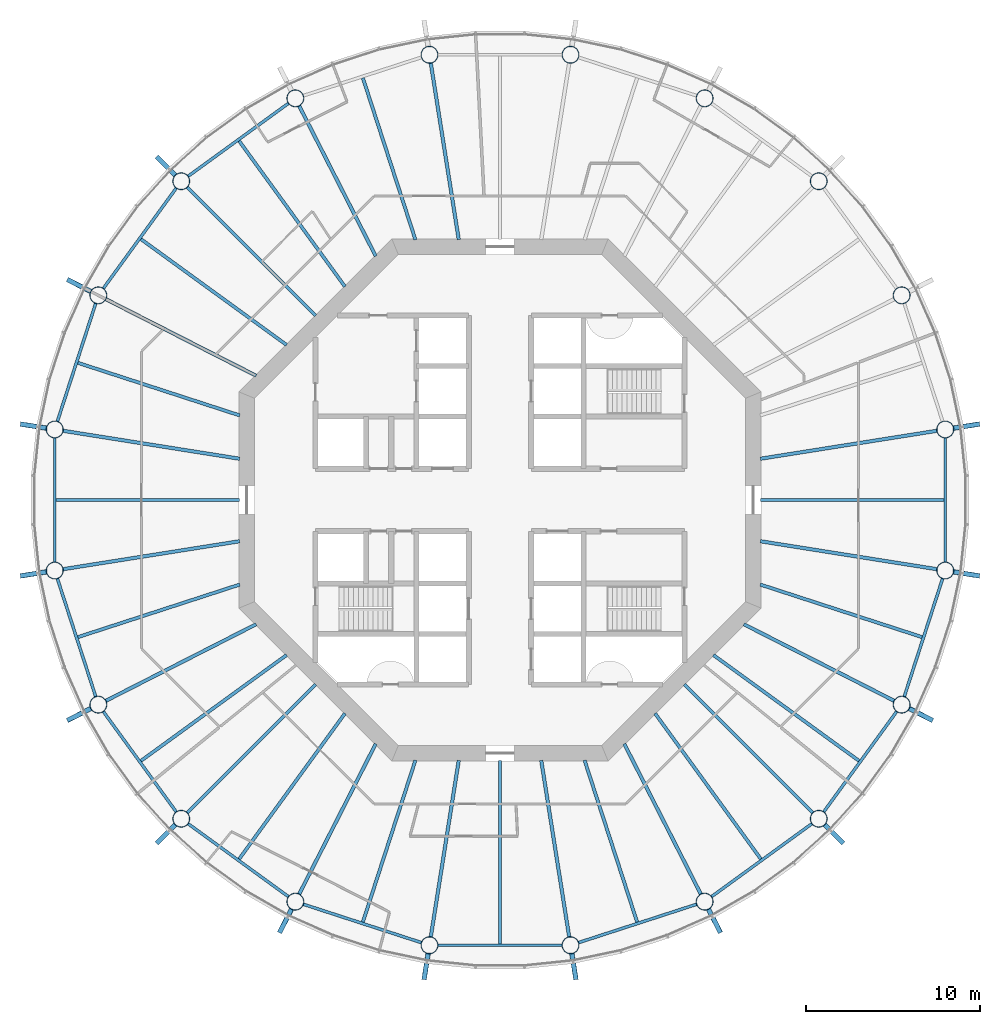
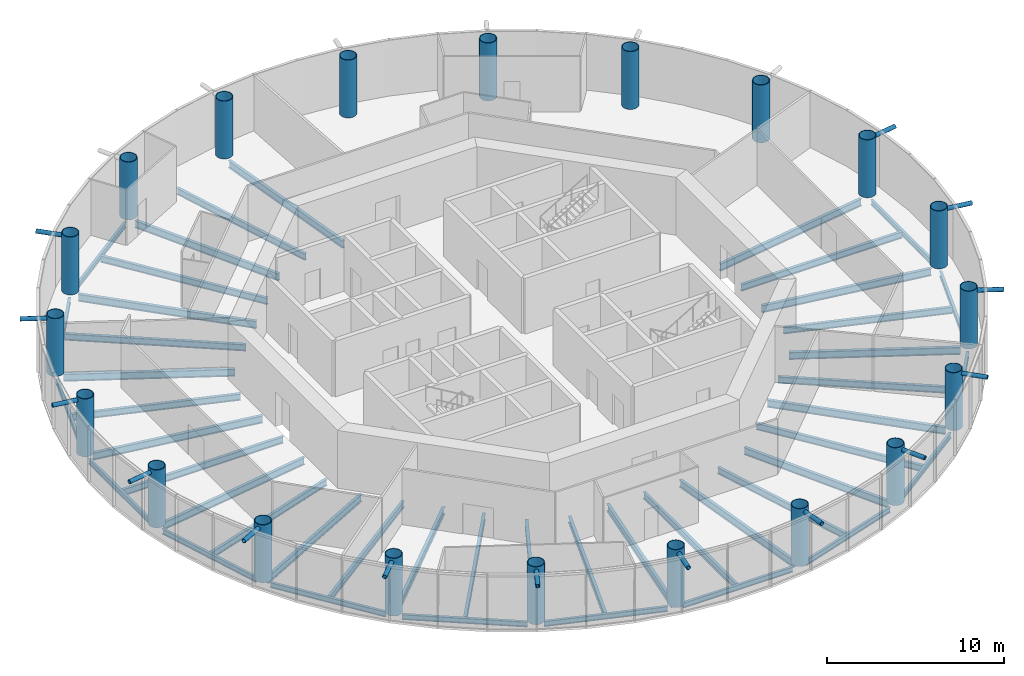
# One storey, part 1 of 12: 45 beams, 20 columns, 14 members.
"""IFC4 building model written with IfcOpenShell, lengths in metres."""

from ifc_helpers import new_model, si_unit, direction, frame, origin, origin_2d, place, context, subcontext, project, spatial, circle, hollow_circle, i_section, extrude, material, material_profile, profile_set, type_object, element, save


model = new_model("IFC4")

# Units and contexts
model_context = context("Model", 3, precision=1e-05, world=origin(), true_north=direction((0.0, 1.0)))
body_context = subcontext(model_context, "Body", "Model", "MODEL_VIEW")
ifc_project = project(units=[si_unit("LENGTHUNIT", "METRE"), si_unit("AREAUNIT", "SQUARE_METRE"), si_unit("VOLUMEUNIT", "CUBIC_METRE"), si_unit("PLANEANGLEUNIT", "RADIAN"), si_unit("MASSUNIT", "GRAM", prefix="KILO")], contexts=[model_context])

# Site, building, storey
site_placement = place(None, origin())
site = spatial("IfcSite", under=ifc_project, at=site_placement, CompositionType="ELEMENT")
building_placement = place(site_placement, origin())
building = spatial("IfcBuilding", under=site, at=building_placement, Name="Entoto Ring Tower", CompositionType="ELEMENT")
storey_placement = place(building_placement, frame((0.0, 0.0, 246.0)))
storey = spatial("IfcBuildingStorey", under=building, at=storey_placement, Name="L56", CompositionType="ELEMENT", Elevation=246.0)

# Columns
ifc_material_1 = material(Name="Steel S355", Category="steel")
ifc_material_profile_1 = material_profile(ifc_material_1, hollow_circle(Radius=0.5, WallThickness=0.0400390625, at=origin_2d()), Name="CHS 1000 x 40")
ifc_material_2 = material(Name="Concrete C60/75", Category="concrete")
ifc_material_profile_2 = material_profile(ifc_material_2, circle(Radius=0.4599609375, at=origin_2d()), Name="Concrete C60/75 infill")
ifc_profile_set_1 = profile_set([ifc_material_profile_1, ifc_material_profile_2], Name="Steel S355")
column_type = type_object("IfcColumnType", Name="Ring column 1000 x 40 concrete-filled tube", PredefinedType="COLUMN", material=ifc_profile_set_1)
for number, where, z_axis, x_axis, name in (
    (1, (115.5810546875, 84.0517578125, 0.0), (0.0, 0.0, 1.0), (1.0, 0.0, 0.0), "RC4 R01"),
    (2, (113.0771484375, 91.75830078125, 0.0), (0.0, 0.0, 1.0), (1.0, 0.0, 0.0), "RC4 R02"),
    (3, (108.31396484375, 98.31396484375, 0.0), (0.0, 0.0, 1.0), (1.0, 0.0, 0.0), "RC4 R03"),
    (4, (101.75830078125, 103.0771484375, 0.0), (0.0, 0.0, 1.0), (1.0, 0.0, 0.0), "RC4 R04"),
    (5, (94.0517578125, 105.5810546875, 0.0), (0.0, 0.0, 1.0), (1.0, 0.0, 0.0), "RC4 R05"),
    (6, (85.9482421875, 105.5810546875, 0.0), (0.0, 0.0, 1.0), (1.0, 0.0, 0.0), "RC4 R06"),
    (7, (78.24169921875, 103.0771484375, 0.0), (0.0, 0.0, 1.0), (1.0, 0.0, 0.0), "RC4 R07"),
    (8, (71.68603515625, 98.31396484375, 0.0), (0.0, 0.0, 1.0), (1.0, 0.0, 0.0), "RC4 R08"),
    (9, (66.9228515625, 91.75830078125, 0.0), (0.0, 0.0, 1.0), (1.0, 0.0, 0.0), "RC4 R09"),
    (10, (64.4189453125, 84.0517578125, 0.0), (0.0, 0.0, 1.0), (1.0, 0.0, 0.0), "RC4 R10"),
    (11, (64.4189453125, 75.9482421875, 0.0), (0.0, 0.0, 1.0), (1.0, 0.0, 0.0), "RC4 R11"),
    (12, (66.9228515625, 68.24169921875, 0.0), (0.0, 0.0, 1.0), (1.0, 0.0, 0.0), "RC4 R12"),
    (13, (71.68603515625, 61.68603515625, 0.0), (0.0, 0.0, 1.0), (1.0, 0.0, 0.0), "RC4 R13"),
    (14, (78.24169921875, 56.9228515625, 0.0), (0.0, 0.0, 1.0), (1.0, 0.0, 0.0), "RC4 R14"),
    (15, (85.9482421875, 54.4189453125, 0.0), (0.0, 0.0, 1.0), (1.0, 0.0, 0.0), "RC4 R15"),
    (16, (94.0517578125, 54.4189453125, 0.0), (0.0, 0.0, 1.0), (1.0, 0.0, 0.0), "RC4 R16"),
    (17, (101.75830078125, 56.9228515625, 0.0), (0.0, 0.0, 1.0), (1.0, 0.0, 0.0), "RC4 R17"),
    (18, (108.31396484375, 61.68603515625, 0.0), (0.0, 0.0, 1.0), (1.0, 0.0, 0.0), "RC4 R18"),
    (19, (113.0771484375, 68.24169921875, 0.0), (0.0, 0.0, 1.0), (1.0, 0.0, 0.0), "RC4 R19"),
    (20, (115.5810546875, 75.9482421875, 0.0), (0.0, 0.0, 1.0), (1.0, 0.0, 0.0), "RC4 R20"),
):
    element("IfcColumn", number, at=place(storey_placement, frame(where, z_axis=z_axis, x_axis=x_axis)), inside=storey, type_object=column_type, Name=name, PredefinedType="COLUMN", context=body_context, shape_type="SweptSolid", body=[
        extrude(hollow_circle(Radius=0.5, WallThickness=0.0400390625, at=origin_2d()), origin(), (0.0, 0.0, 1.0), 4.0),
    ])

# Members
ifc_material_3 = material(Name="Steel S355", Category="steel")
ifc_material_profile_3 = material_profile(ifc_material_3, hollow_circle(Radius=0.136474609375, WallThickness=0.012451171875, at=origin_2d()), Name="CHS 273 x 12.5")
ifc_material_4 = material(Name="Concrete C60/75", Category="concrete")
ifc_material_profile_4 = material_profile(ifc_material_4, circle(Radius=0.1240234375, at=origin_2d()), Name="Concrete C60/75 infill")
ifc_profile_set_2 = profile_set([ifc_material_profile_3, ifc_material_profile_4], Name="Steel S355")
member_type = type_object("IfcMemberType", Name="Diagrid node strut 273 x 12.5", PredefinedType="STRUT", material=ifc_profile_set_2)
member_1_placement = place(storey_placement, frame((116.036376953125, 84.123779296875, 3.71337890625), z_axis=(0.987690828979, 0.156418753192, 0.0), x_axis=(-0.156418753192, 0.987690828979, 0.0)))
element("IfcMember", 21, at=member_1_placement, inside=storey, type_object=member_type, Name="DS2 strut ring 18 01", PredefinedType="STRUT", context=body_context, shape_type="SweptSolid", body=[
    extrude(hollow_circle(Radius=0.136474609375, WallThickness=0.012451171875, at=origin_2d()), origin(), (0.0, 0.0, 1.0), 1.5390625),
])
member_2_placement = place(storey_placement, frame((71.360107421875, 98.639892578125, 3.71337890625), z_axis=(-0.707106781187, 0.707106781187, 0.0), x_axis=(-0.707106781187, -0.707106781187, 0.0)))
element("IfcMember", 22, at=member_2_placement, inside=storey, type_object=member_type, Name="DS2 strut ring 18 08", PredefinedType="STRUT", context=body_context, shape_type="SweptSolid", body=[
    extrude(hollow_circle(Radius=0.136474609375, WallThickness=0.012451171875, at=origin_2d()), origin(), (0.0, 0.0, 1.0), 1.539306640625),
])
for number, where, z_axis, x_axis, name in (
    (23, (66.51220703125, 91.967529296875, 3.71337890625), (-0.891006809714, 0.453989939363, 0.0), (-0.453989939363, -0.891006809714, 0.0), "DS2 strut ring 18 09"),
    (24, (63.963623046875, 84.123779296875, 3.71337890625), (-0.987690828979, 0.156418753192, 0.0), (-0.156418753192, -0.987690828979, 0.0), "DS2 strut ring 18 10"),
    (25, (63.963623046875, 75.876220703125, 3.71337890625), (-0.987690828979, -0.156418753192, 0.0), (0.156418753192, -0.987690828979, 0.0), "DS2 strut ring 18 11"),
    (26, (66.51220703125, 68.032470703125, 3.71337890625), (-0.891006809714, -0.453989939363, 0.0), (0.453989939363, -0.891006809714, 0.0), "DS2 strut ring 18 12"),
):
    element("IfcMember", number, at=place(storey_placement, frame(where, z_axis=z_axis, x_axis=x_axis)), inside=storey, type_object=member_type, Name=name, PredefinedType="STRUT", context=body_context, shape_type="SweptSolid", body=[
        extrude(hollow_circle(Radius=0.136474609375, WallThickness=0.012451171875, at=origin_2d()), origin(), (0.0, 0.0, 1.0), 1.5390625),
    ])
member_3_placement = place(storey_placement, frame((71.360107421875, 61.360107421875, 3.71337890625), z_axis=(-0.707106781187, -0.707106781187, 0.0), x_axis=(0.707106781187, -0.707106781187, 0.0)))
element("IfcMember", 27, at=member_3_placement, inside=storey, type_object=member_type, Name="DS2 strut ring 18 13", PredefinedType="STRUT", context=body_context, shape_type="SweptSolid", body=[
    extrude(hollow_circle(Radius=0.136474609375, WallThickness=0.012451171875, at=origin_2d()), origin(), (0.0, 0.0, 1.0), 1.539306640625),
])
for number, where, z_axis, x_axis, name in (
    (28, (78.032470703125, 56.51220703125, 3.71337890625), (-0.453989939363, -0.891006809714, 0.0), (0.891006809714, -0.453989939363, 0.0), "DS2 strut ring 18 14"),
    (29, (85.876220703125, 53.963623046875, 3.71337890625), (-0.156418753192, -0.987690828979, 0.0), (0.987690828979, -0.156418753192, 0.0), "DS2 strut ring 18 15"),
    (30, (94.123779296875, 53.963623046875, 3.71337890625), (0.156418753192, -0.987690828979, 0.0), (0.987690828979, 0.156418753192, 0.0), "DS2 strut ring 18 16"),
    (31, (101.967529296875, 56.51220703125, 3.71337890625), (0.453989939363, -0.891006809714, 0.0), (0.891006809714, 0.453989939363, 0.0), "DS2 strut ring 18 17"),
):
    element("IfcMember", number, at=place(storey_placement, frame(where, z_axis=z_axis, x_axis=x_axis)), inside=storey, type_object=member_type, Name=name, PredefinedType="STRUT", context=body_context, shape_type="SweptSolid", body=[
        extrude(hollow_circle(Radius=0.136474609375, WallThickness=0.012451171875, at=origin_2d()), origin(), (0.0, 0.0, 1.0), 1.5390625),
    ])
member_4_placement = place(storey_placement, frame((108.639892578125, 61.360107421875, 3.71337890625), z_axis=(0.707106781187, -0.707106781187, 0.0), x_axis=(0.707106781187, 0.707106781187, 0.0)))
element("IfcMember", 32, at=member_4_placement, inside=storey, type_object=member_type, Name="DS2 strut ring 18 18", PredefinedType="STRUT", context=body_context, shape_type="SweptSolid", body=[
    extrude(hollow_circle(Radius=0.136474609375, WallThickness=0.012451171875, at=origin_2d()), origin(), (0.0, 0.0, 1.0), 1.539306640625),
])
for number, where, z_axis, x_axis, name in (
    (33, (113.48779296875, 68.032470703125, 3.71337890625), (0.891006809714, -0.453989939363, 0.0), (0.453989939363, 0.891006809714, 0.0), "DS2 strut ring 18 19"),
    (34, (116.036376953125, 75.876220703125, 3.71337890625), (0.987690828979, -0.156418753192, 0.0), (0.156418753192, 0.987690828979, 0.0), "DS2 strut ring 18 20"),
):
    element("IfcMember", number, at=place(storey_placement, frame(where, z_axis=z_axis, x_axis=x_axis)), inside=storey, type_object=member_type, Name=name, PredefinedType="STRUT", context=body_context, shape_type="SweptSolid", body=[
        extrude(hollow_circle(Radius=0.136474609375, WallThickness=0.012451171875, at=origin_2d()), origin(), (0.0, 0.0, 1.0), 1.5390625),
    ])

# Beams
ifc_material_5 = material(Name="Steel S355", Category="steel")
ifc_material_profile_5 = material_profile(ifc_material_5, i_section(OverallWidth=0.169921875, OverallDepth=0.360107421875, WebThickness=0.008056640625, FlangeThickness=0.0126953125, FilletRadius=0.01806640625, at=origin_2d()), Name="IPE 360")
ifc_profile_set_3 = profile_set([ifc_material_profile_5], Name="Steel S355")
beam_type_1 = type_object("IfcBeamType", Name="Edge beam IPE 360", PredefinedType="SPANDREL", material=ifc_profile_set_3)
for number, where, z_axis, x_axis, name in (
    (35, (77.859375, 102.79931640625, -0.330078125), (-0.809010324619, -0.587794432314, 0.0), (0.587794432314, -0.809010324619, 0.0), "Edge beam L56 07"),
    (36, (71.408203125, 97.931640625, -0.330078125), (-0.587794432314, -0.809010324619, 0.0), (0.809010324619, -0.587794432314, 0.0), "Edge beam L56 08"),
):
    element("IfcBeam", number, at=place(storey_placement, frame(where, z_axis=z_axis, x_axis=x_axis)), inside=storey, type_object=beam_type_1, Name=name, PredefinedType="SPANDREL", context=body_context, shape_type="SweptSolid", body=[
        extrude(i_section(OverallWidth=0.169921875, OverallDepth=0.360107421875, WebThickness=0.008056640625, FlangeThickness=0.0126953125, FilletRadius=0.01806640625, at=origin_2d()), origin(), (0.0, 0.0, 1.0), 7.158203125),
    ])
beam_1_placement = place(storey_placement, frame((66.77685546875, 91.308837890625, -0.330078125), z_axis=(-0.309015118354, -0.951057125849, 0.0), x_axis=(0.951057125849, -0.309015118354, 0.0)))
element("IfcBeam", 37, at=beam_1_placement, inside=storey, type_object=beam_type_1, Name="Edge beam L56 09", PredefinedType="SPANDREL", context=body_context, shape_type="SweptSolid", body=[
    extrude(i_section(OverallWidth=0.169921875, OverallDepth=0.360107421875, WebThickness=0.008056640625, FlangeThickness=0.0126953125, FilletRadius=0.01806640625, at=origin_2d()), origin(), (0.0, 0.0, 1.0), 7.157958984375),
])
beam_2_placement = place(storey_placement, frame((64.4189453125, 83.5791015625, -0.330078125), z_axis=(0.0, -1.0, 0.0), x_axis=(1.0, 0.0, 0.0)))
element("IfcBeam", 38, at=beam_2_placement, inside=storey, type_object=beam_type_1, Name="Edge beam L56 10", PredefinedType="SPANDREL", context=body_context, shape_type="SweptSolid", body=[
    extrude(i_section(OverallWidth=0.169921875, OverallDepth=0.360107421875, WebThickness=0.008056640625, FlangeThickness=0.0126953125, FilletRadius=0.01806640625, at=origin_2d()), origin(), (0.0, 0.0, 1.0), 7.158203125),
])
beam_3_placement = place(storey_placement, frame((64.56494140625, 75.498779296875, -0.330078125), z_axis=(0.309015118354, -0.951057125849, 0.0), x_axis=(0.951057125849, 0.309015118354, 0.0)))
element("IfcBeam", 39, at=beam_3_placement, inside=storey, type_object=beam_type_1, Name="Edge beam L56 11", PredefinedType="SPANDREL", context=body_context, shape_type="SweptSolid", body=[
    extrude(i_section(OverallWidth=0.169921875, OverallDepth=0.360107421875, WebThickness=0.008056640625, FlangeThickness=0.0126953125, FilletRadius=0.01806640625, at=origin_2d()), origin(), (0.0, 0.0, 1.0), 7.157958984375),
])
for number, where, z_axis, x_axis, name in (
    (40, (67.20068359375, 67.859375, -0.330078125), (0.587794432314, -0.809010324619, 0.0), (0.809010324619, 0.587794432314, 0.0), "Edge beam L56 12"),
    (41, (72.068359375, 61.408203125, -0.330078125), (0.809010324619, -0.587794432314, 0.0), (0.587794432314, 0.809010324619, 0.0), "Edge beam L56 13"),
):
    element("IfcBeam", number, at=place(storey_placement, frame(where, z_axis=z_axis, x_axis=x_axis)), inside=storey, type_object=beam_type_1, Name=name, PredefinedType="SPANDREL", context=body_context, shape_type="SweptSolid", body=[
        extrude(i_section(OverallWidth=0.169921875, OverallDepth=0.360107421875, WebThickness=0.008056640625, FlangeThickness=0.0126953125, FilletRadius=0.01806640625, at=origin_2d()), origin(), (0.0, 0.0, 1.0), 7.158203125),
    ])
beam_4_placement = place(storey_placement, frame((78.691162109375, 56.77685546875, -0.330078125), z_axis=(0.951057125849, -0.309015118354, 0.0), x_axis=(0.309015118354, 0.951057125849, 0.0)))
element("IfcBeam", 42, at=beam_4_placement, inside=storey, type_object=beam_type_1, Name="Edge beam L56 14", PredefinedType="SPANDREL", context=body_context, shape_type="SweptSolid", body=[
    extrude(i_section(OverallWidth=0.169921875, OverallDepth=0.360107421875, WebThickness=0.008056640625, FlangeThickness=0.0126953125, FilletRadius=0.01806640625, at=origin_2d()), origin(), (0.0, 0.0, 1.0), 7.157958984375),
])
beam_5_placement = place(storey_placement, frame((86.4208984375, 54.4189453125, -0.330078125), z_axis=(1.0, 0.0, 0.0), x_axis=(0.0, 1.0, 0.0)))
element("IfcBeam", 43, at=beam_5_placement, inside=storey, type_object=beam_type_1, Name="Edge beam L56 15", PredefinedType="SPANDREL", context=body_context, shape_type="SweptSolid", body=[
    extrude(i_section(OverallWidth=0.169921875, OverallDepth=0.360107421875, WebThickness=0.008056640625, FlangeThickness=0.0126953125, FilletRadius=0.01806640625, at=origin_2d()), origin(), (0.0, 0.0, 1.0), 7.158203125),
])
beam_6_placement = place(storey_placement, frame((94.501220703125, 54.56494140625, -0.330078125), z_axis=(0.951057125849, 0.309015118354, 0.0), x_axis=(-0.309015118354, 0.951057125849, 0.0)))
element("IfcBeam", 44, at=beam_6_placement, inside=storey, type_object=beam_type_1, Name="Edge beam L56 16", PredefinedType="SPANDREL", context=body_context, shape_type="SweptSolid", body=[
    extrude(i_section(OverallWidth=0.169921875, OverallDepth=0.360107421875, WebThickness=0.008056640625, FlangeThickness=0.0126953125, FilletRadius=0.01806640625, at=origin_2d()), origin(), (0.0, 0.0, 1.0), 7.157958984375),
])
for number, where, z_axis, x_axis, name in (
    (45, (102.140625, 57.20068359375, -0.330078125), (0.809010324619, 0.587794432314, 0.0), (-0.587794432314, 0.809010324619, 0.0), "Edge beam L56 17"),
    (46, (108.591796875, 62.068359375, -0.330078125), (0.587794432314, 0.809010324619, 0.0), (-0.809010324619, 0.587794432314, 0.0), "Edge beam L56 18"),
):
    element("IfcBeam", number, at=place(storey_placement, frame(where, z_axis=z_axis, x_axis=x_axis)), inside=storey, type_object=beam_type_1, Name=name, PredefinedType="SPANDREL", context=body_context, shape_type="SweptSolid", body=[
        extrude(i_section(OverallWidth=0.169921875, OverallDepth=0.360107421875, WebThickness=0.008056640625, FlangeThickness=0.0126953125, FilletRadius=0.01806640625, at=origin_2d()), origin(), (0.0, 0.0, 1.0), 7.158203125),
    ])
beam_7_placement = place(storey_placement, frame((113.22314453125, 68.691162109375, -0.330078125), z_axis=(0.309015118354, 0.951057125849, 0.0), x_axis=(-0.951057125849, 0.309015118354, 0.0)))
element("IfcBeam", 47, at=beam_7_placement, inside=storey, type_object=beam_type_1, Name="Edge beam L56 19", PredefinedType="SPANDREL", context=body_context, shape_type="SweptSolid", body=[
    extrude(i_section(OverallWidth=0.169921875, OverallDepth=0.360107421875, WebThickness=0.008056640625, FlangeThickness=0.0126953125, FilletRadius=0.01806640625, at=origin_2d()), origin(), (0.0, 0.0, 1.0), 7.157958984375),
])
beam_8_placement = place(storey_placement, frame((115.5810546875, 76.4208984375, -0.330078125), z_axis=(0.0, 1.0, 0.0), x_axis=(-1.0, 0.0, 0.0)))
element("IfcBeam", 48, at=beam_8_placement, inside=storey, type_object=beam_type_1, Name="Edge beam L56 20", PredefinedType="SPANDREL", context=body_context, shape_type="SweptSolid", body=[
    extrude(i_section(OverallWidth=0.169921875, OverallDepth=0.360107421875, WebThickness=0.008056640625, FlangeThickness=0.0126953125, FilletRadius=0.01806640625, at=origin_2d()), origin(), (0.0, 0.0, 1.0), 7.158203125),
])
ifc_material_6 = material(Name="Steel S355", Category="steel")
ifc_material_profile_6 = material_profile(ifc_material_6, i_section(OverallWidth=0.199951171875, OverallDepth=0.5, WebThickness=0.01025390625, FlangeThickness=0.01611328125, FilletRadius=0.02099609375, at=origin_2d()), Name="IPE 500")
ifc_profile_set_4 = profile_set([ifc_material_profile_6], Name="Steel S355")
beam_type_2 = type_object("IfcBeamType", Name="Primary floor beam IPE 500", PredefinedType="BEAM", material=ifc_profile_set_4)
for number, where, z_axis, x_axis, name in (
    (49, (104.964599609375, 82.3701171875, -0.39990234375), (0.987685619518, 0.156451644281, 0.0), (-0.156451644281, 0.987685619518, 0.0), "Primary L56 R01"),
    (50, (87.6298828125, 94.964599609375, -0.39990234375), (-0.156451644281, 0.987685619518, 0.0), (-0.987685619518, -0.156451644281, 0.0), "Primary L56 R06"),
):
    element("IfcBeam", number, at=place(storey_placement, frame(where, z_axis=z_axis, x_axis=x_axis)), inside=storey, type_object=beam_type_2, Name=name, PredefinedType="BEAM", context=body_context, shape_type="SweptSolid", body=[
        extrude(i_section(OverallWidth=0.199951171875, OverallDepth=0.5, WebThickness=0.01025390625, FlangeThickness=0.01611328125, FilletRadius=0.02099609375, at=origin_2d()), origin(), (0.0, 0.0, 1.0), 10.27880859375),
    ])
beam_9_placement = place(storey_placement, frame((82.863525390625, 94.006103515625, -0.39990234375), z_axis=(-0.45397888461, 0.891012442297, 0.0), x_axis=(-0.891012442297, -0.45397888461, 0.0)))
element("IfcBeam", 51, at=beam_9_placement, inside=storey, type_object=beam_type_2, Name="Primary L56 R07", PredefinedType="BEAM", context=body_context, shape_type="SweptSolid", body=[
    extrude(i_section(OverallWidth=0.199951171875, OverallDepth=0.5, WebThickness=0.01025390625, FlangeThickness=0.01611328125, FilletRadius=0.02099609375, at=origin_2d()), origin(), (0.0, 0.0, 1.0), 9.710693359375),
])
beam_10_placement = place(storey_placement, frame((79.407470703125, 90.592529296875, -0.39990234375), z_axis=(-0.707106781187, 0.707106781187, 0.0), x_axis=(-0.707106781187, -0.707106781187, 0.0)))
element("IfcBeam", 52, at=beam_10_placement, inside=storey, type_object=beam_type_2, Name="Primary L56 R08", PredefinedType="BEAM", context=body_context, shape_type="SweptSolid", body=[
    extrude(i_section(OverallWidth=0.199951171875, OverallDepth=0.5, WebThickness=0.01025390625, FlangeThickness=0.01611328125, FilletRadius=0.02099609375, at=origin_2d()), origin(), (0.0, 0.0, 1.0), 10.4501953125),
])
beam_11_placement = place(storey_placement, frame((75.993896484375, 87.136474609375, -0.39990234375), z_axis=(-0.891012442297, 0.45397888461, 0.0), x_axis=(-0.45397888461, -0.891012442297, 0.0)))
element("IfcBeam", 53, at=beam_11_placement, inside=storey, type_object=beam_type_2, Name="Primary L56 R09", PredefinedType="BEAM", context=body_context, shape_type="SweptSolid", body=[
    extrude(i_section(OverallWidth=0.199951171875, OverallDepth=0.5, WebThickness=0.01025390625, FlangeThickness=0.01611328125, FilletRadius=0.02099609375, at=origin_2d()), origin(), (0.0, 0.0, 1.0), 9.710693359375),
])
for number, where, z_axis, x_axis, name in (
    (54, (75.035400390625, 82.3701171875, -0.39990234375), (-0.987685619518, 0.156451644281, 0.0), (-0.156451644281, -0.987685619518, 0.0), "Primary L56 R10"),
    (55, (75.035400390625, 77.6298828125, -0.39990234375), (-0.987685619518, -0.156451644281, 0.0), (0.156451644281, -0.987685619518, 0.0), "Primary L56 R11"),
):
    element("IfcBeam", number, at=place(storey_placement, frame(where, z_axis=z_axis, x_axis=x_axis)), inside=storey, type_object=beam_type_2, Name=name, PredefinedType="BEAM", context=body_context, shape_type="SweptSolid", body=[
        extrude(i_section(OverallWidth=0.199951171875, OverallDepth=0.5, WebThickness=0.01025390625, FlangeThickness=0.01611328125, FilletRadius=0.02099609375, at=origin_2d()), origin(), (0.0, 0.0, 1.0), 10.27880859375),
    ])
beam_12_placement = place(storey_placement, frame((75.993896484375, 72.863525390625, -0.39990234375), z_axis=(-0.891012442297, -0.45397888461, 0.0), x_axis=(0.45397888461, -0.891012442297, 0.0)))
element("IfcBeam", 56, at=beam_12_placement, inside=storey, type_object=beam_type_2, Name="Primary L56 R12", PredefinedType="BEAM", context=body_context, shape_type="SweptSolid", body=[
    extrude(i_section(OverallWidth=0.199951171875, OverallDepth=0.5, WebThickness=0.01025390625, FlangeThickness=0.01611328125, FilletRadius=0.02099609375, at=origin_2d()), origin(), (0.0, 0.0, 1.0), 9.710693359375),
])
beam_13_placement = place(storey_placement, frame((79.407470703125, 69.407470703125, -0.39990234375), z_axis=(-0.707106781187, -0.707106781187, 0.0), x_axis=(0.707106781187, -0.707106781187, 0.0)))
element("IfcBeam", 57, at=beam_13_placement, inside=storey, type_object=beam_type_2, Name="Primary L56 R13", PredefinedType="BEAM", context=body_context, shape_type="SweptSolid", body=[
    extrude(i_section(OverallWidth=0.199951171875, OverallDepth=0.5, WebThickness=0.01025390625, FlangeThickness=0.01611328125, FilletRadius=0.02099609375, at=origin_2d()), origin(), (0.0, 0.0, 1.0), 10.4501953125),
])
beam_14_placement = place(storey_placement, frame((82.863525390625, 65.993896484375, -0.39990234375), z_axis=(-0.45397888461, -0.891012442297, 0.0), x_axis=(0.891012442297, -0.45397888461, 0.0)))
element("IfcBeam", 58, at=beam_14_placement, inside=storey, type_object=beam_type_2, Name="Primary L56 R14", PredefinedType="BEAM", context=body_context, shape_type="SweptSolid", body=[
    extrude(i_section(OverallWidth=0.199951171875, OverallDepth=0.5, WebThickness=0.01025390625, FlangeThickness=0.01611328125, FilletRadius=0.02099609375, at=origin_2d()), origin(), (0.0, 0.0, 1.0), 9.710693359375),
])
for number, where, z_axis, x_axis, name in (
    (59, (87.6298828125, 65.035400390625, -0.39990234375), (-0.156451644281, -0.987685619518, 0.0), (0.987685619518, -0.156451644281, 0.0), "Primary L56 R15"),
    (60, (92.3701171875, 65.035400390625, -0.39990234375), (0.156451644281, -0.987685619518, 0.0), (0.987685619518, 0.156451644281, 0.0), "Primary L56 R16"),
):
    element("IfcBeam", number, at=place(storey_placement, frame(where, z_axis=z_axis, x_axis=x_axis)), inside=storey, type_object=beam_type_2, Name=name, PredefinedType="BEAM", context=body_context, shape_type="SweptSolid", body=[
        extrude(i_section(OverallWidth=0.199951171875, OverallDepth=0.5, WebThickness=0.01025390625, FlangeThickness=0.01611328125, FilletRadius=0.02099609375, at=origin_2d()), origin(), (0.0, 0.0, 1.0), 10.27880859375),
    ])
beam_15_placement = place(storey_placement, frame((97.136474609375, 65.993896484375, -0.39990234375), z_axis=(0.45397888461, -0.891012442297, 0.0), x_axis=(0.891012442297, 0.45397888461, 0.0)))
element("IfcBeam", 61, at=beam_15_placement, inside=storey, type_object=beam_type_2, Name="Primary L56 R17", PredefinedType="BEAM", context=body_context, shape_type="SweptSolid", body=[
    extrude(i_section(OverallWidth=0.199951171875, OverallDepth=0.5, WebThickness=0.01025390625, FlangeThickness=0.01611328125, FilletRadius=0.02099609375, at=origin_2d()), origin(), (0.0, 0.0, 1.0), 9.710693359375),
])
beam_16_placement = place(storey_placement, frame((100.592529296875, 69.407470703125, -0.39990234375), z_axis=(0.707106781187, -0.707106781187, 0.0), x_axis=(0.707106781187, 0.707106781187, 0.0)))
element("IfcBeam", 62, at=beam_16_placement, inside=storey, type_object=beam_type_2, Name="Primary L56 R18", PredefinedType="BEAM", context=body_context, shape_type="SweptSolid", body=[
    extrude(i_section(OverallWidth=0.199951171875, OverallDepth=0.5, WebThickness=0.01025390625, FlangeThickness=0.01611328125, FilletRadius=0.02099609375, at=origin_2d()), origin(), (0.0, 0.0, 1.0), 10.4501953125),
])
beam_17_placement = place(storey_placement, frame((104.006103515625, 72.863525390625, -0.39990234375), z_axis=(0.891012442297, -0.45397888461, 0.0), x_axis=(0.45397888461, 0.891012442297, 0.0)))
element("IfcBeam", 63, at=beam_17_placement, inside=storey, type_object=beam_type_2, Name="Primary L56 R19", PredefinedType="BEAM", context=body_context, shape_type="SweptSolid", body=[
    extrude(i_section(OverallWidth=0.199951171875, OverallDepth=0.5, WebThickness=0.01025390625, FlangeThickness=0.01611328125, FilletRadius=0.02099609375, at=origin_2d()), origin(), (0.0, 0.0, 1.0), 9.710693359375),
])
beam_18_placement = place(storey_placement, frame((104.964599609375, 77.6298828125, -0.39990234375), z_axis=(0.987685619518, -0.156451644281, 0.0), x_axis=(0.156451644281, 0.987685619518, 0.0)))
element("IfcBeam", 64, at=beam_18_placement, inside=storey, type_object=beam_type_2, Name="Primary L56 R20", PredefinedType="BEAM", context=body_context, shape_type="SweptSolid", body=[
    extrude(i_section(OverallWidth=0.199951171875, OverallDepth=0.5, WebThickness=0.01025390625, FlangeThickness=0.01611328125, FilletRadius=0.02099609375, at=origin_2d()), origin(), (0.0, 0.0, 1.0), 10.27880859375),
])
ifc_material_7 = material(Name="Steel S355", Category="steel")
ifc_material_profile_7 = material_profile(ifc_material_7, i_section(OverallWidth=0.18994140625, OverallDepth=0.449951171875, WebThickness=0.009521484375, FlangeThickness=0.0146484375, FilletRadius=0.02099609375, at=origin_2d()), Name="IPE 450")
ifc_profile_set_5 = profile_set([ifc_material_profile_7], Name="Steel S355")
beam_type_3 = type_object("IfcBeamType", Name="Secondary floor beam IPE 450", PredefinedType="JOIST", material=ifc_profile_set_5)
beam_19_placement = place(storey_placement, frame((85.141845703125, 94.95166015625, -0.375), z_axis=(-0.309003053144, 0.951061045963, 0.0), x_axis=(-0.951061045963, -0.309003053144, 0.0)))
element("IfcBeam", 65, at=beam_19_placement, inside=storey, type_object=beam_type_3, Name="Secondary beam L56 06", PredefinedType="JOIST", context=body_context, shape_type="SweptSolid", body=[
    extrude(i_section(OverallWidth=0.18994140625, OverallDepth=0.449951171875, WebThickness=0.009521484375, FlangeThickness=0.0146484375, FilletRadius=0.02099609375, at=origin_2d()), origin(), (0.0, 0.0, 1.0), 9.77490234375),
])
for number, where, z_axis, x_axis, name in (
    (66, (81.093994140625, 92.258056640625, -0.375), (-0.58779413796, 0.809010538485, 0.0), (-0.809010538485, -0.58779413796, 0.0), "Secondary beam L56 07"),
    (67, (77.741943359375, 88.906005859375, -0.375), (-0.809010538485, 0.58779413796, 0.0), (-0.58779413796, -0.809010538485, 0.0), "Secondary beam L56 08"),
):
    element("IfcBeam", number, at=place(storey_placement, frame(where, z_axis=z_axis, x_axis=x_axis)), inside=storey, type_object=beam_type_3, Name=name, PredefinedType="JOIST", context=body_context, shape_type="SweptSolid", body=[
        extrude(i_section(OverallWidth=0.18994140625, OverallDepth=0.449951171875, WebThickness=0.009521484375, FlangeThickness=0.0146484375, FilletRadius=0.02099609375, at=origin_2d()), origin(), (0.0, 0.0, 1.0), 10.34423828125),
    ])
beam_20_placement = place(storey_placement, frame((75.04833984375, 84.858154296875, -0.375), z_axis=(-0.951061045963, 0.309003053144, 0.0), x_axis=(-0.309003053144, -0.951061045963, 0.0)))
element("IfcBeam", 68, at=beam_20_placement, inside=storey, type_object=beam_type_3, Name="Secondary beam L56 09", PredefinedType="JOIST", context=body_context, shape_type="SweptSolid", body=[
    extrude(i_section(OverallWidth=0.18994140625, OverallDepth=0.449951171875, WebThickness=0.009521484375, FlangeThickness=0.0146484375, FilletRadius=0.02099609375, at=origin_2d()), origin(), (0.0, 0.0, 1.0), 9.77490234375),
])
beam_21_placement = place(storey_placement, frame((75.02001953125, 80.0, -0.375), z_axis=(-1.0, 0.0, 0.0), x_axis=(0.0, -1.0, 0.0)))
element("IfcBeam", 69, at=beam_21_placement, inside=storey, type_object=beam_type_3, Name="Secondary beam L56 10", PredefinedType="JOIST", context=body_context, shape_type="SweptSolid", body=[
    extrude(i_section(OverallWidth=0.18994140625, OverallDepth=0.449951171875, WebThickness=0.009521484375, FlangeThickness=0.0146484375, FilletRadius=0.02099609375, at=origin_2d()), origin(), (0.0, 0.0, 1.0), 10.51611328125),
])
beam_22_placement = place(storey_placement, frame((75.04833984375, 75.141845703125, -0.375), z_axis=(-0.951061045963, -0.309003053144, 0.0), x_axis=(0.309003053144, -0.951061045963, 0.0)))
element("IfcBeam", 70, at=beam_22_placement, inside=storey, type_object=beam_type_3, Name="Secondary beam L56 11", PredefinedType="JOIST", context=body_context, shape_type="SweptSolid", body=[
    extrude(i_section(OverallWidth=0.18994140625, OverallDepth=0.449951171875, WebThickness=0.009521484375, FlangeThickness=0.0146484375, FilletRadius=0.02099609375, at=origin_2d()), origin(), (0.0, 0.0, 1.0), 9.77490234375),
])
for number, where, z_axis, x_axis, name in (
    (71, (77.741943359375, 71.093994140625, -0.375), (-0.809010538485, -0.58779413796, 0.0), (0.58779413796, -0.809010538485, 0.0), "Secondary beam L56 12"),
    (72, (81.093994140625, 67.741943359375, -0.375), (-0.58779413796, -0.809010538485, 0.0), (0.809010538485, -0.58779413796, 0.0), "Secondary beam L56 13"),
):
    element("IfcBeam", number, at=place(storey_placement, frame(where, z_axis=z_axis, x_axis=x_axis)), inside=storey, type_object=beam_type_3, Name=name, PredefinedType="JOIST", context=body_context, shape_type="SweptSolid", body=[
        extrude(i_section(OverallWidth=0.18994140625, OverallDepth=0.449951171875, WebThickness=0.009521484375, FlangeThickness=0.0146484375, FilletRadius=0.02099609375, at=origin_2d()), origin(), (0.0, 0.0, 1.0), 10.34423828125),
    ])
beam_23_placement = place(storey_placement, frame((85.141845703125, 65.04833984375, -0.375), z_axis=(-0.309003053144, -0.951061045963, 0.0), x_axis=(0.951061045963, -0.309003053144, 0.0)))
element("IfcBeam", 73, at=beam_23_placement, inside=storey, type_object=beam_type_3, Name="Secondary beam L56 14", PredefinedType="JOIST", context=body_context, shape_type="SweptSolid", body=[
    extrude(i_section(OverallWidth=0.18994140625, OverallDepth=0.449951171875, WebThickness=0.009521484375, FlangeThickness=0.0146484375, FilletRadius=0.02099609375, at=origin_2d()), origin(), (0.0, 0.0, 1.0), 9.77490234375),
])
beam_24_placement = place(storey_placement, frame((90.0, 65.02001953125, -0.375), z_axis=(0.0, -1.0, 0.0), x_axis=(1.0, 0.0, 0.0)))
element("IfcBeam", 74, at=beam_24_placement, inside=storey, type_object=beam_type_3, Name="Secondary beam L56 15", PredefinedType="JOIST", context=body_context, shape_type="SweptSolid", body=[
    extrude(i_section(OverallWidth=0.18994140625, OverallDepth=0.449951171875, WebThickness=0.009521484375, FlangeThickness=0.0146484375, FilletRadius=0.02099609375, at=origin_2d()), origin(), (0.0, 0.0, 1.0), 10.51611328125),
])
beam_25_placement = place(storey_placement, frame((94.858154296875, 65.04833984375, -0.375), z_axis=(0.309003053144, -0.951061045963, 0.0), x_axis=(0.951061045963, 0.309003053144, 0.0)))
element("IfcBeam", 75, at=beam_25_placement, inside=storey, type_object=beam_type_3, Name="Secondary beam L56 16", PredefinedType="JOIST", context=body_context, shape_type="SweptSolid", body=[
    extrude(i_section(OverallWidth=0.18994140625, OverallDepth=0.449951171875, WebThickness=0.009521484375, FlangeThickness=0.0146484375, FilletRadius=0.02099609375, at=origin_2d()), origin(), (0.0, 0.0, 1.0), 9.77490234375),
])
for number, where, z_axis, x_axis, name in (
    (76, (98.906005859375, 67.741943359375, -0.375), (0.58779413796, -0.809010538485, 0.0), (0.809010538485, 0.58779413796, 0.0), "Secondary beam L56 17"),
    (77, (102.258056640625, 71.093994140625, -0.375), (0.809010538485, -0.58779413796, 0.0), (0.58779413796, 0.809010538485, 0.0), "Secondary beam L56 18"),
):
    element("IfcBeam", number, at=place(storey_placement, frame(where, z_axis=z_axis, x_axis=x_axis)), inside=storey, type_object=beam_type_3, Name=name, PredefinedType="JOIST", context=body_context, shape_type="SweptSolid", body=[
        extrude(i_section(OverallWidth=0.18994140625, OverallDepth=0.449951171875, WebThickness=0.009521484375, FlangeThickness=0.0146484375, FilletRadius=0.02099609375, at=origin_2d()), origin(), (0.0, 0.0, 1.0), 10.34423828125),
    ])
beam_26_placement = place(storey_placement, frame((104.95166015625, 75.141845703125, -0.375), z_axis=(0.951061045963, -0.309003053144, 0.0), x_axis=(0.309003053144, 0.951061045963, 0.0)))
element("IfcBeam", 78, at=beam_26_placement, inside=storey, type_object=beam_type_3, Name="Secondary beam L56 19", PredefinedType="JOIST", context=body_context, shape_type="SweptSolid", body=[
    extrude(i_section(OverallWidth=0.18994140625, OverallDepth=0.449951171875, WebThickness=0.009521484375, FlangeThickness=0.0146484375, FilletRadius=0.02099609375, at=origin_2d()), origin(), (0.0, 0.0, 1.0), 9.77490234375),
])
beam_27_placement = place(storey_placement, frame((104.97998046875, 80.0, -0.375), z_axis=(1.0, 0.0, 0.0), x_axis=(0.0, 1.0, 0.0)))
element("IfcBeam", 79, at=beam_27_placement, inside=storey, type_object=beam_type_3, Name="Secondary beam L56 20", PredefinedType="JOIST", context=body_context, shape_type="SweptSolid", body=[
    extrude(i_section(OverallWidth=0.18994140625, OverallDepth=0.449951171875, WebThickness=0.009521484375, FlangeThickness=0.0146484375, FilletRadius=0.02099609375, at=origin_2d()), origin(), (0.0, 0.0, 1.0), 10.51611328125),
])

save(model, "model.ifc")
